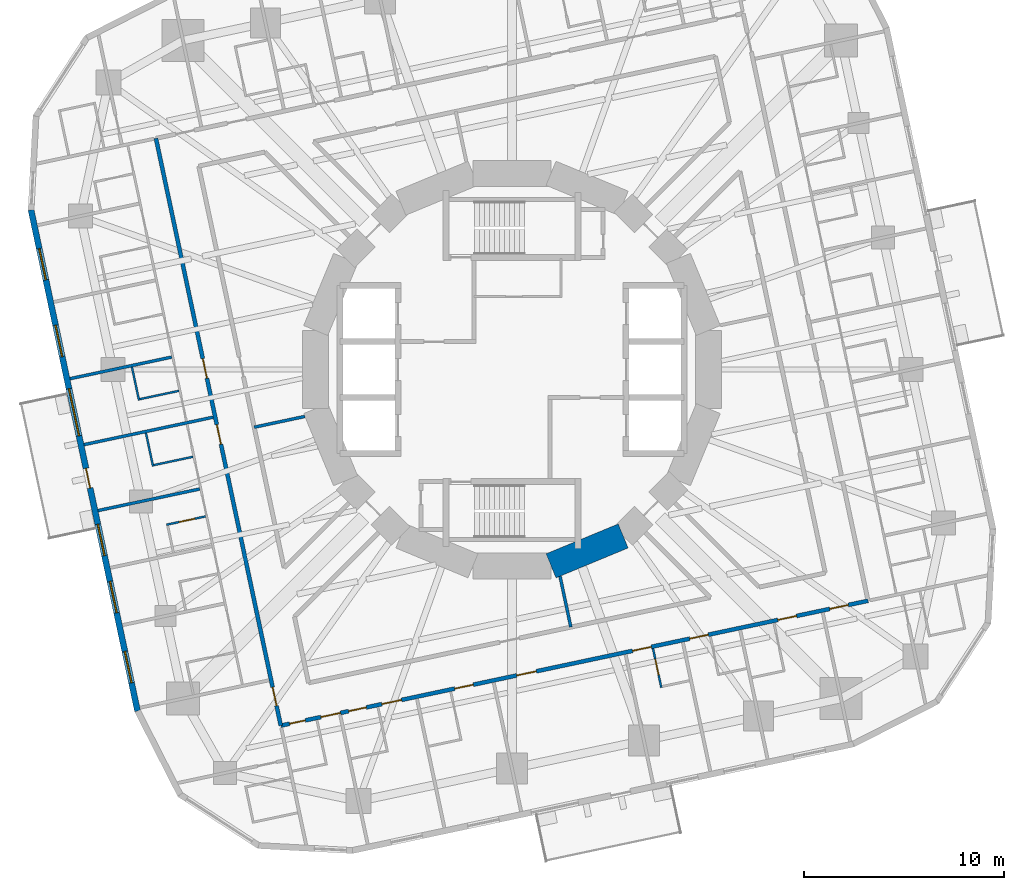
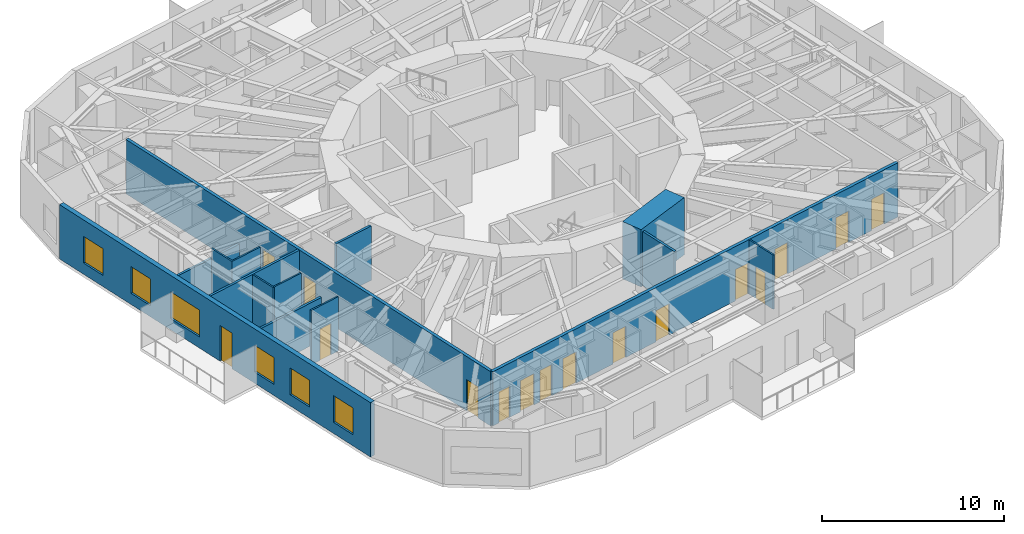
# One storey, part 5 of 13: 16 doors, 15 walls, 6 windows, 22 openings.
"""IFC4 building model written with IfcOpenShell, lengths in metres."""

from ifc_helpers import new_model, si_unit, direction, frame, frame_2d, origin, place, context, subcontext, project, spatial, rectangle, extrude, material, layer, layer_set, type_object, element, fill, save


model = new_model("IFC4")

# Units and contexts
model_context = context("Model", 3, precision=1e-05, world=origin(), true_north=direction((0.0, 1.0)))
body_context = subcontext(model_context, "Body", "Model", "MODEL_VIEW")
ifc_project = project(units=[si_unit("LENGTHUNIT", "METRE"), si_unit("AREAUNIT", "SQUARE_METRE"), si_unit("VOLUMEUNIT", "CUBIC_METRE"), si_unit("PLANEANGLEUNIT", "RADIAN"), si_unit("MASSUNIT", "GRAM", prefix="KILO")], contexts=[model_context])

# Site, building, storey
site_placement = place(None, origin())
site = spatial("IfcSite", under=ifc_project, at=site_placement, CompositionType="ELEMENT")
building_placement = place(site_placement, origin())
building = spatial("IfcBuilding", under=site, at=building_placement, Name="Nakasero Lantern House", CompositionType="ELEMENT")
storey_placement = place(building_placement, frame((0.0, 0.0, 131.949951171875)))
storey = spatial("IfcBuildingStorey", under=building, at=storey_placement, Name="L32", CompositionType="ELEMENT", Elevation=131.949951171875)

# Wall
ifc_material_1 = material(Name="Concrete C50/60", Category="concrete")
ifc_layer_1 = layer(ifc_material_1, 1.300048828125)
ifc_layer_set_1 = layer_set([ifc_layer_1], Name="Core wall 1300")
wall_type_1 = type_object("IfcWallType", Name="Core wall 1300", PredefinedType="SHEAR", material=ifc_layer_set_1)
wall_1_placement = place(storey_placement, frame((1.950927734375, -9.807861328125, 0.0), z_axis=(0.0, 0.0, 1.0), x_axis=(0.923876507187, 0.382690736062, 0.0)))
element("IfcWall", 1, at=wall_1_placement, inside=storey, type_object=wall_type_1, Name="Core wall L32 facet 13", PredefinedType="SHEAR", context=body_context, shape_type="SweptSolid", body=[
    extrude(rectangle(XDim=3.90185546875, YDim=1.300048828125, at=frame_2d((1.950927734375, 0.0))), origin(), (0.0, 0.0, 1.0), 3.85009765625),
])

# Wall, openings, doors
ifc_material_2 = material(Name="Blockwork", Category="masonry")
ifc_layer_2 = layer(ifc_material_2, 0.199951171875)
ifc_layer_set_2 = layer_set([ifc_layer_2], Name="Corridor wall 200")
wall_type_2 = type_object("IfcWallType", Name="Corridor wall 200", PredefinedType="PARTITIONING", material=ifc_layer_set_2)
wall_2_placement = place(storey_placement, frame((-17.790771484375, 11.553466796875, 0.0), z_axis=(0.0, 0.0, 1.0), x_axis=(0.207911508826, -0.978147639417, 0.0)))
wall_2 = element("IfcWall", 2, at=wall_2_placement, inside=storey, type_object=wall_type_2, Name="Corridor wall L32 CW2", PredefinedType="PARTITIONING", context=body_context, shape_type="SweptSolid", body=[
    extrude(rectangle(XDim=29.999755859375, YDim=0.199951171875, at=frame_2d((15.0, 0.0))), origin(), (0.0, 0.0, 1.0), 3.650146484375),
])
opening_1_placement = place(wall_2_placement, frame((11.255126953125, 0.0, 0.0)))
opening_1 = element("IfcOpeningElement", 3, at=opening_1_placement, cuts=wall_2, Name="Opening D14", PredefinedType="OPENING", context=body_context, shape_type="SweptSolid", body=[
    extrude(rectangle(XDim=1.0, YDim=2.10009765625, at=frame_2d((0.5, 1.050048828125))), frame((0.0, 0.119873046875, 0.0), z_axis=(0.0, -1.0, 0.0), x_axis=(1.0, 0.0, 0.0)), (0.0, 0.0, 1.0), 0.239990234375),
])
opening_2_placement = place(wall_2_placement, frame((14.623779296875, 0.0, 0.0)))
opening_2 = element("IfcOpeningElement", 4, at=opening_2_placement, cuts=wall_2, Name="Opening D14", PredefinedType="OPENING", context=body_context, shape_type="SweptSolid", body=[
    extrude(rectangle(XDim=1.0, YDim=2.10009765625, at=frame_2d((0.5, 1.050048828125))), frame((0.0, 0.119873046875, 0.0), z_axis=(0.0, -1.0, 0.0), x_axis=(1.0, 0.0, 0.0)), (0.0, 0.0, 1.0), 0.239990234375),
])
opening_3_placement = place(wall_2_placement, frame((28.038330078125, 0.0, 0.0)))
opening_3 = element("IfcOpeningElement", 5, at=opening_3_placement, cuts=wall_2, Name="Opening D01", PredefinedType="OPENING", context=body_context, shape_type="SweptSolid", body=[
    extrude(rectangle(XDim=0.949951171875, YDim=2.10009765625, at=frame_2d((0.47509765625, 1.050048828125))), frame((0.0, 0.119873046875, 0.0), z_axis=(0.0, -1.0, 0.0), x_axis=(1.0, 0.0, 0.0)), (0.0, 0.0, 1.0), 0.239990234375),
])
ifc_material_3 = material(Name="Timber C24", Category="wood")
door_type_1 = type_object("IfcDoorType", Name="Bedroom door FD30S 950", OperationType="SINGLE_SWING_LEFT", PredefinedType="DOOR", material=ifc_material_3)
door_1_placement = place(opening_3_placement, origin())
door_1 = element("IfcDoor", 6, at=door_1_placement, inside=storey, type_object=door_type_1, Name="Door L32 D2-08", OperationType="SINGLE_SWING_RIGHT", OverallHeight=2.10009765625, OverallWidth=0.949951171875, PredefinedType="DOOR", context=body_context, shape_type="SweptSolid", body=[
    extrude(rectangle(XDim=0.949951171875, YDim=2.10009765625, at=frame_2d((0.47509765625, 1.050048828125))), frame((0.0, 0.02490234375, 0.0), z_axis=(0.0, -1.0, 0.0), x_axis=(1.0, 0.0, 0.0)), (0.0, 0.0, 1.0), 0.050048828125),
])
fill(opening_3, door_1)
ifc_material_4 = material(Name="Timber C24", Category="wood")
door_type_2 = type_object("IfcDoorType", Name="Cluster entrance door FD30S 1000", OperationType="SINGLE_SWING_LEFT", PredefinedType="DOOR", material=ifc_material_4)
door_2_placement = place(opening_1_placement, origin())
door_2 = element("IfcDoor", 7, at=door_2_placement, inside=storey, type_object=door_type_2, Name="Door L32 DF2-0", OperationType="SINGLE_SWING_LEFT", OverallHeight=2.10009765625, OverallWidth=1.0, PredefinedType="DOOR", context=body_context, shape_type="SweptSolid", body=[
    extrude(rectangle(XDim=1.0, YDim=2.10009765625, at=frame_2d((0.5, 1.050048828125))), frame((0.0, 0.02490234375, 0.0), z_axis=(0.0, -1.0, 0.0), x_axis=(1.0, 0.0, 0.0)), (0.0, 0.0, 1.0), 0.050048828125),
])
fill(opening_1, door_2)
door_3_placement = place(opening_2_placement, origin())
door_3 = element("IfcDoor", 8, at=door_3_placement, inside=storey, type_object=door_type_2, Name="Door L32 DF2-1", OperationType="SINGLE_SWING_RIGHT", OverallHeight=2.10009765625, OverallWidth=1.0, PredefinedType="DOOR", context=body_context, shape_type="SweptSolid", body=[
    extrude(rectangle(XDim=1.0, YDim=2.10009765625, at=frame_2d((0.5, 1.050048828125))), frame((0.0, 0.02490234375, 0.0), z_axis=(0.0, -1.0, 0.0), x_axis=(1.0, 0.0, 0.0)), (0.0, 0.0, 1.0), 0.050048828125),
])
fill(opening_2, door_3)

wall_3_placement = place(storey_placement, frame((-11.553466796875, -17.790771484375, 0.0), z_axis=(0.0, 0.0, 1.0), x_axis=(0.978147639417, 0.207911508826, 0.0)))
wall_3 = element("IfcWall", 9, at=wall_3_placement, inside=storey, type_object=wall_type_2, Name="Corridor wall L32 CW3", PredefinedType="PARTITIONING", context=body_context, shape_type="SweptSolid", body=[
    extrude(rectangle(XDim=29.999755859375, YDim=0.199951171875, at=frame_2d((15.0, 0.0))), origin(), (0.0, 0.0, 1.0), 3.650146484375),
])
opening_4_placement = place(wall_3_placement, frame((0.449951171875, 0.0, 0.0)))
opening_4 = element("IfcOpeningElement", 10, at=opening_4_placement, cuts=wall_3, Name="Opening D15", PredefinedType="OPENING", context=body_context, shape_type="SweptSolid", body=[
    extrude(rectangle(XDim=0.800048828125, YDim=2.10009765625, at=frame_2d((0.39990234375, 1.050048828125))), frame((0.0, 0.119873046875, 0.0), z_axis=(0.0, -1.0, 0.0), x_axis=(1.0, 0.0, 0.0)), (0.0, 0.0, 1.0), 0.239990234375),
])
opening_5_placement = place(wall_3_placement, frame((2.050048828125, 0.0, 0.0)))
opening_5 = element("IfcOpeningElement", 11, at=opening_5_placement, cuts=wall_3, Name="Opening D07", PredefinedType="OPENING", context=body_context, shape_type="SweptSolid", body=[
    extrude(rectangle(XDim=1.0, YDim=2.10009765625, at=frame_2d((0.5, 1.050048828125))), frame((0.0, 0.119873046875, 0.0), z_axis=(0.0, -1.0, 0.0), x_axis=(1.0, 0.0, 0.0)), (0.0, 0.0, 1.0), 0.239990234375),
])
opening_6_placement = place(wall_3_placement, frame((3.466064453125, 0.0, 0.0)))
opening_6 = element("IfcOpeningElement", 12, at=opening_6_placement, cuts=wall_3, Name="Opening D16", PredefinedType="OPENING", context=body_context, shape_type="SweptSolid", body=[
    extrude(rectangle(XDim=0.89990234375, YDim=2.10009765625, at=frame_2d((0.449951171875, 1.050048828125))), frame((0.0, 0.119873046875, 0.0), z_axis=(0.0, -1.0, 0.0), x_axis=(1.0, 0.0, 0.0)), (0.0, 0.0, 1.0), 0.239990234375),
])
opening_7_placement = place(wall_3_placement, frame((5.166015625, 0.0, 0.0)))
opening_7 = element("IfcOpeningElement", 13, at=opening_7_placement, cuts=wall_3, Name="Opening D07", PredefinedType="OPENING", context=body_context, shape_type="SweptSolid", body=[
    extrude(rectangle(XDim=1.0, YDim=2.10009765625, at=frame_2d((0.5, 1.050048828125))), frame((0.0, 0.119873046875, 0.0), z_axis=(0.0, -1.0, 0.0), x_axis=(1.0, 0.0, 0.0)), (0.0, 0.0, 1.0), 0.239990234375),
])
opening_8_placement = place(wall_3_placement, frame((8.8857421875, 0.0, 0.0)))
opening_8 = element("IfcOpeningElement", 14, at=opening_8_placement, cuts=wall_3, Name="Opening D01", PredefinedType="OPENING", context=body_context, shape_type="SweptSolid", body=[
    extrude(rectangle(XDim=0.949951171875, YDim=2.10009765625, at=frame_2d((0.47509765625, 1.050048828125))), frame((0.0, 0.119873046875, 0.0), z_axis=(0.0, -1.0, 0.0), x_axis=(1.0, 0.0, 0.0)), (0.0, 0.0, 1.0), 0.239990234375),
])
opening_9_placement = place(wall_3_placement, frame((17.967529296875, 0.0, 0.0)))
opening_9 = element("IfcOpeningElement", 15, at=opening_9_placement, cuts=wall_3, Name="Opening D01", PredefinedType="OPENING", context=body_context, shape_type="SweptSolid", body=[
    extrude(rectangle(XDim=0.949951171875, YDim=2.10009765625, at=frame_2d((0.47509765625, 1.050048828125))), frame((0.0, 0.119873046875, 0.0), z_axis=(0.0, -1.0, 0.0), x_axis=(1.0, 0.0, 0.0)), (0.0, 0.0, 1.0), 0.239990234375),
])
opening_10_placement = place(wall_3_placement, frame((20.89404296875, 0.0, 0.0)))
opening_10 = element("IfcOpeningElement", 16, at=opening_10_placement, cuts=wall_3, Name="Opening D01", PredefinedType="OPENING", context=body_context, shape_type="SweptSolid", body=[
    extrude(rectangle(XDim=0.949951171875, YDim=2.10009765625, at=frame_2d((0.47509765625, 1.050048828125))), frame((0.0, 0.119873046875, 0.0), z_axis=(0.0, -1.0, 0.0), x_axis=(1.0, 0.0, 0.0)), (0.0, 0.0, 1.0), 0.239990234375),
])
opening_11_placement = place(wall_3_placement, frame((25.395263671875, 0.0, 0.0)))
opening_11 = element("IfcOpeningElement", 17, at=opening_11_placement, cuts=wall_3, Name="Opening D01", PredefinedType="OPENING", context=body_context, shape_type="SweptSolid", body=[
    extrude(rectangle(XDim=0.949951171875, YDim=2.10009765625, at=frame_2d((0.47509765625, 1.050048828125))), frame((0.0, 0.119873046875, 0.0), z_axis=(0.0, -1.0, 0.0), x_axis=(1.0, 0.0, 0.0)), (0.0, 0.0, 1.0), 0.239990234375),
])
opening_12_placement = place(wall_3_placement, frame((28.038330078125, 0.0, 0.0)))
opening_12 = element("IfcOpeningElement", 18, at=opening_12_placement, cuts=wall_3, Name="Opening D01", PredefinedType="OPENING", context=body_context, shape_type="SweptSolid", body=[
    extrude(rectangle(XDim=0.949951171875, YDim=2.10009765625, at=frame_2d((0.47509765625, 1.050048828125))), frame((0.0, 0.119873046875, 0.0), z_axis=(0.0, -1.0, 0.0), x_axis=(1.0, 0.0, 0.0)), (0.0, 0.0, 1.0), 0.239990234375),
])
opening_13_placement = place(wall_3_placement, frame((12.05517578125, 0.0, 0.0)))
opening_13 = element("IfcOpeningElement", 19, at=opening_13_placement, cuts=wall_3, Name="Opening D03", PredefinedType="OPENING", context=body_context, shape_type="SweptSolid", body=[
    extrude(rectangle(XDim=1.0, YDim=2.10009765625, at=frame_2d((0.5, 1.050048828125))), frame((0.0, 0.119873046875, 0.0), z_axis=(0.0, -1.0, 0.0), x_axis=(1.0, 0.0, 0.0)), (0.0, 0.0, 1.0), 0.239990234375),
])
ifc_material_5 = material(Name="Timber C24", Category="wood")
door_type_3 = type_object("IfcDoorType", Name="Accessible WC door 900", OperationType="SINGLE_SWING_RIGHT", PredefinedType="DOOR", material=ifc_material_5)
door_4_placement = place(opening_6_placement, origin())
door_4 = element("IfcDoor", 20, at=door_4_placement, inside=storey, type_object=door_type_3, Name="Door L32 DS3-01", OperationType="SINGLE_SWING_LEFT", OverallHeight=2.10009765625, OverallWidth=0.89990234375, PredefinedType="DOOR", context=body_context, shape_type="SweptSolid", body=[
    extrude(rectangle(XDim=0.89990234375, YDim=2.10009765625, at=frame_2d((0.449951171875, 1.050048828125))), frame((0.0, 0.02490234375, 0.0), z_axis=(0.0, -1.0, 0.0), x_axis=(1.0, 0.0, 0.0)), (0.0, 0.0, 1.0), 0.050048828125),
])
fill(opening_6, door_4)
door_5_placement = place(opening_8_placement, origin())
door_5 = element("IfcDoor", 21, at=door_5_placement, inside=storey, type_object=door_type_1, Name="Door L32 D3-02", OperationType="SINGLE_SWING_LEFT", OverallHeight=2.10009765625, OverallWidth=0.949951171875, PredefinedType="DOOR", context=body_context, shape_type="SweptSolid", body=[
    extrude(rectangle(XDim=0.949951171875, YDim=2.10009765625, at=frame_2d((0.47509765625, 1.050048828125))), frame((0.0, 0.02490234375, 0.0), z_axis=(0.0, -1.0, 0.0), x_axis=(1.0, 0.0, 0.0)), (0.0, 0.0, 1.0), 0.050048828125),
])
fill(opening_8, door_5)
door_6_placement = place(opening_9_placement, origin())
door_6 = element("IfcDoor", 22, at=door_6_placement, inside=storey, type_object=door_type_1, Name="Door L32 D3-05", OperationType="SINGLE_SWING_RIGHT", OverallHeight=2.10009765625, OverallWidth=0.949951171875, PredefinedType="DOOR", context=body_context, shape_type="SweptSolid", body=[
    extrude(rectangle(XDim=0.949951171875, YDim=2.10009765625, at=frame_2d((0.47509765625, 1.050048828125))), frame((0.0, 0.02490234375, 0.0), z_axis=(0.0, -1.0, 0.0), x_axis=(1.0, 0.0, 0.0)), (0.0, 0.0, 1.0), 0.050048828125),
])
fill(opening_9, door_6)
door_7_placement = place(opening_10_placement, origin())
door_7 = element("IfcDoor", 23, at=door_7_placement, inside=storey, type_object=door_type_1, Name="Door L32 D3-06", OperationType="SINGLE_SWING_RIGHT", OverallHeight=2.10009765625, OverallWidth=0.949951171875, PredefinedType="DOOR", context=body_context, shape_type="SweptSolid", body=[
    extrude(rectangle(XDim=0.949951171875, YDim=2.10009765625, at=frame_2d((0.47509765625, 1.050048828125))), frame((0.0, 0.02490234375, 0.0), z_axis=(0.0, -1.0, 0.0), x_axis=(1.0, 0.0, 0.0)), (0.0, 0.0, 1.0), 0.050048828125),
])
fill(opening_10, door_7)
door_8_placement = place(opening_11_placement, origin())
door_8 = element("IfcDoor", 24, at=door_8_placement, inside=storey, type_object=door_type_1, Name="Door L32 D3-07", OperationType="SINGLE_SWING_RIGHT", OverallHeight=2.10009765625, OverallWidth=0.949951171875, PredefinedType="DOOR", context=body_context, shape_type="SweptSolid", body=[
    extrude(rectangle(XDim=0.949951171875, YDim=2.10009765625, at=frame_2d((0.47509765625, 1.050048828125))), frame((0.0, 0.02490234375, 0.0), z_axis=(0.0, -1.0, 0.0), x_axis=(1.0, 0.0, 0.0)), (0.0, 0.0, 1.0), 0.050048828125),
])
fill(opening_11, door_8)
door_9_placement = place(opening_12_placement, origin())
door_9 = element("IfcDoor", 25, at=door_9_placement, inside=storey, type_object=door_type_1, Name="Door L32 D3-08", OperationType="SINGLE_SWING_RIGHT", OverallHeight=2.10009765625, OverallWidth=0.949951171875, PredefinedType="DOOR", context=body_context, shape_type="SweptSolid", body=[
    extrude(rectangle(XDim=0.949951171875, YDim=2.10009765625, at=frame_2d((0.47509765625, 1.050048828125))), frame((0.0, 0.02490234375, 0.0), z_axis=(0.0, -1.0, 0.0), x_axis=(1.0, 0.0, 0.0)), (0.0, 0.0, 1.0), 0.050048828125),
])
fill(opening_12, door_9)
ifc_material_6 = material(Name="Timber C24", Category="wood")
door_type_4 = type_object("IfcDoorType", Name="Cleaner's store door FD30S 800", OperationType="SINGLE_SWING_LEFT", PredefinedType="DOOR", material=ifc_material_6)
door_10_placement = place(opening_4_placement, origin())
door_10 = element("IfcDoor", 26, at=door_10_placement, inside=storey, type_object=door_type_4, Name="Door L32 DS3-00", OperationType="SINGLE_SWING_LEFT", OverallHeight=2.10009765625, OverallWidth=0.800048828125, PredefinedType="DOOR", context=body_context, shape_type="SweptSolid", body=[
    extrude(rectangle(XDim=0.800048828125, YDim=2.10009765625, at=frame_2d((0.39990234375, 1.050048828125))), frame((0.0, 0.02490234375, 0.0), z_axis=(0.0, -1.0, 0.0), x_axis=(1.0, 0.0, 0.0)), (0.0, 0.0, 1.0), 0.050048828125),
])
fill(opening_4, door_10)
ifc_material_7 = material(Name="Timber C24", Category="wood")
door_type_5 = type_object("IfcDoorType", Name="Lounge door FD30S 1000", OperationType="SINGLE_SWING_LEFT", PredefinedType="DOOR", material=ifc_material_7)
door_11_placement = place(opening_13_placement, origin())
door_11 = element("IfcDoor", 27, at=door_11_placement, inside=storey, type_object=door_type_5, Name="Door L32 DK3", OperationType="SINGLE_SWING_LEFT", OverallHeight=2.10009765625, OverallWidth=1.0, PredefinedType="DOOR", context=body_context, shape_type="SweptSolid", body=[
    extrude(rectangle(XDim=1.0, YDim=2.10009765625, at=frame_2d((0.5, 1.050048828125))), frame((0.0, 0.02490234375, 0.0), z_axis=(0.0, -1.0, 0.0), x_axis=(1.0, 0.0, 0.0)), (0.0, 0.0, 1.0), 0.050048828125),
])
fill(opening_13, door_11)
ifc_material_8 = material(Name="Timber C24", Category="wood")
door_type_6 = type_object("IfcDoorType", Name="Room door FD30S 1000", OperationType="SINGLE_SWING_LEFT", PredefinedType="DOOR", material=ifc_material_8)
door_12_placement = place(opening_5_placement, origin())
door_12 = element("IfcDoor", 28, at=door_12_placement, inside=storey, type_object=door_type_6, Name="Door L32 D3-00", OperationType="SINGLE_SWING_LEFT", OverallHeight=2.10009765625, OverallWidth=1.0, PredefinedType="DOOR", context=body_context, shape_type="SweptSolid", body=[
    extrude(rectangle(XDim=1.0, YDim=2.10009765625, at=frame_2d((0.5, 1.050048828125))), frame((0.0, 0.02490234375, 0.0), z_axis=(0.0, -1.0, 0.0), x_axis=(1.0, 0.0, 0.0)), (0.0, 0.0, 1.0), 0.050048828125),
])
fill(opening_5, door_12)
door_13_placement = place(opening_7_placement, origin())
door_13 = element("IfcDoor", 29, at=door_13_placement, inside=storey, type_object=door_type_6, Name="Door L32 D3-01", OperationType="SINGLE_SWING_LEFT", OverallHeight=2.10009765625, OverallWidth=1.0, PredefinedType="DOOR", context=body_context, shape_type="SweptSolid", body=[
    extrude(rectangle(XDim=1.0, YDim=2.10009765625, at=frame_2d((0.5, 1.050048828125))), frame((0.0, 0.02490234375, 0.0), z_axis=(0.0, -1.0, 0.0), x_axis=(1.0, 0.0, 0.0)), (0.0, 0.0, 1.0), 0.050048828125),
])
fill(opening_7, door_13)

# Walls
ifc_material_9 = material(Name="Blockwork", Category="masonry")
ifc_layer_3 = layer(ifc_material_9, 0.10009765625)
ifc_layer_set_3 = layer_set([ifc_layer_3], Name="En-suite wall 100")
wall_type_3 = type_object("IfcWallType", Name="En-suite wall 100", PredefinedType="PARTITIONING", material=ifc_layer_set_3)
wall_4_placement = place(storey_placement, frame((-16.642578125, -1.0634765625, 0.0), z_axis=(0.0, 0.0, 1.0), x_axis=(-0.978134617382, -0.207972763311, 0.0)))
element("IfcWall", 30, at=wall_4_placement, inside=storey, type_object=wall_type_3, Name="En-suite wall L32 SS2-0", PredefinedType="PARTITIONING", context=body_context, shape_type="SweptSolid", body=[
    extrude(rectangle(XDim=2.10009765625, YDim=0.10009765625, at=frame_2d((1.050048828125, 0.0))), origin(), (0.0, 0.0, 1.0), 3.650146484375),
])
wall_5_placement = place(storey_placement, frame((-18.99072265625, 0.124267578125, 0.0), z_axis=(0.0, 0.0, 1.0), x_axis=(0.207812379357, -0.978168704767, 0.0)))
element("IfcWall", 31, at=wall_5_placement, inside=storey, type_object=wall_type_3, Name="En-suite wall L32 SE2-0", PredefinedType="PARTITIONING", context=body_context, shape_type="SweptSolid", body=[
    extrude(rectangle(XDim=1.699951171875, YDim=0.10009765625, at=frame_2d((0.85009765625, 0.0))), origin(), (0.0, 0.0, 1.0), 3.650146484375),
])
wall_6_placement = place(storey_placement, frame((-15.942138671875, -4.358642578125, 0.0), z_axis=(0.0, 0.0, 1.0), x_axis=(-0.97815826, -0.207861536591, 0.0)))
element("IfcWall", 32, at=wall_6_placement, inside=storey, type_object=wall_type_3, Name="En-suite wall L32 SS2-1", PredefinedType="PARTITIONING", context=body_context, shape_type="SweptSolid", body=[
    extrude(rectangle(XDim=2.10009765625, YDim=0.10009765625, at=frame_2d((1.050048828125, 0.0))), origin(), (0.0, 0.0, 1.0), 3.650146484375),
])
wall_7_placement = place(storey_placement, frame((-18.29052734375, -3.1708984375, 0.0), z_axis=(0.0, 0.0, 1.0), x_axis=(0.207949787024, -0.97813950236, 0.0)))
element("IfcWall", 33, at=wall_7_placement, inside=storey, type_object=wall_type_3, Name="En-suite wall L32 SE2-1", PredefinedType="PARTITIONING", context=body_context, shape_type="SweptSolid", body=[
    extrude(rectangle(XDim=1.699951171875, YDim=0.10009765625, at=frame_2d((0.85009765625, 0.0))), origin(), (0.0, 0.0, 1.0), 3.650146484375),
])

# Wall, opening, door
wall_8_placement = place(storey_placement, frame((-15.30908203125, -7.337158203125, 0.0), z_axis=(0.0, 0.0, 1.0), x_axis=(-0.978152955943, -0.207886494942, 0.0)))
wall_8 = element("IfcWall", 34, at=wall_8_placement, inside=storey, type_object=wall_type_3, Name="En-suite wall L32 ES2-05", PredefinedType="PARTITIONING", context=body_context, shape_type="SweptSolid", body=[
    extrude(rectangle(XDim=2.0, YDim=0.10009765625, at=frame_2d((1.0, 0.0))), origin(), (0.0, 0.0, 1.0), 3.650146484375),
])
opening_14_placement = place(wall_8_placement, frame((0.550048828125, 0.0, 0.0)))
opening_14 = element("IfcOpeningElement", 35, at=opening_14_placement, cuts=wall_8, Name="Opening D02", PredefinedType="OPENING", context=body_context, shape_type="SweptSolid", body=[
    extrude(rectangle(XDim=0.800048828125, YDim=2.10009765625, at=frame_2d((0.39990234375, 1.050048828125))), frame((0.0, 0.070068359375, 0.0), z_axis=(0.0, -1.0, 0.0), x_axis=(1.0, 0.0, 0.0)), (0.0, 0.0, 1.0), 0.14013671875),
])
ifc_material_10 = material(Name="Timber C24", Category="wood")
door_type_7 = type_object("IfcDoorType", Name="En-suite door 800", OperationType="SINGLE_SWING_RIGHT", PredefinedType="DOOR", material=ifc_material_10)
door_14_placement = place(opening_14_placement, origin())
door_14 = element("IfcDoor", 36, at=door_14_placement, inside=storey, type_object=door_type_7, Name="Door L32 DE2-05", OperationType="SINGLE_SWING_LEFT", OverallHeight=2.10009765625, OverallWidth=0.800048828125, PredefinedType="DOOR", context=body_context, shape_type="SweptSolid", body=[
    extrude(rectangle(XDim=0.800048828125, YDim=2.10009765625, at=frame_2d((0.39990234375, 1.050048828125))), frame((0.0, 0.02490234375, 0.0), z_axis=(0.0, -1.0, 0.0), x_axis=(1.0, 0.0, 0.0)), (0.0, 0.0, 1.0), 0.050048828125),
])
fill(opening_14, door_14)

wall_9_placement = place(storey_placement, frame((7.046142578125, -13.939697265625, 0.0), z_axis=(0.0, 0.0, 1.0), x_axis=(0.207886494942, -0.978152955943, 0.0)))
wall_9 = element("IfcWall", 37, at=wall_9_placement, inside=storey, type_object=wall_type_3, Name="En-suite wall L32 ES3-05", PredefinedType="PARTITIONING", context=body_context, shape_type="SweptSolid", body=[
    extrude(rectangle(XDim=2.0, YDim=0.10009765625, at=frame_2d((1.0, 0.0))), origin(), (0.0, 0.0, 1.0), 3.650146484375),
])
opening_15_placement = place(wall_9_placement, frame((0.550048828125, 0.0, 0.0)))
opening_15 = element("IfcOpeningElement", 38, at=opening_15_placement, cuts=wall_9, Name="Opening D02", PredefinedType="OPENING", context=body_context, shape_type="SweptSolid", body=[
    extrude(rectangle(XDim=0.800048828125, YDim=2.10009765625, at=frame_2d((0.39990234375, 1.050048828125))), frame((0.0, 0.070068359375, 0.0), z_axis=(0.0, -1.0, 0.0), x_axis=(1.0, 0.0, 0.0)), (0.0, 0.0, 1.0), 0.14013671875),
])
door_15_placement = place(opening_15_placement, origin())
door_15 = element("IfcDoor", 39, at=door_15_placement, inside=storey, type_object=door_type_7, Name="Door L32 DE3-05", OperationType="SINGLE_SWING_LEFT", OverallHeight=2.10009765625, OverallWidth=0.800048828125, PredefinedType="DOOR", context=body_context, shape_type="SweptSolid", body=[
    extrude(rectangle(XDim=0.800048828125, YDim=2.10009765625, at=frame_2d((0.39990234375, 1.050048828125))), frame((0.0, 0.02490234375, 0.0), z_axis=(0.0, -1.0, 0.0), x_axis=(1.0, 0.0, 0.0)), (0.0, 0.0, 1.0), 0.050048828125),
])
fill(opening_15, door_15)

# Wall, openings, door, windows
ifc_material_11 = material(Name="Aluminium rainscreen on blockwork", Category="masonry")
ifc_layer_4 = layer(ifc_material_11, 0.300048828125)
ifc_layer_set_4 = layer_set([ifc_layer_4], Name="Facade wall 300")
wall_type_4 = type_object("IfcWallType", Name="Facade wall 300", PredefinedType="SOLIDWALL", material=ifc_layer_set_4)
wall_10_placement = place(storey_placement, frame((-24.03369140625, 7.9775390625, 0.0), z_axis=(0.0, 0.0, 1.0), x_axis=(0.207909055127, -0.978148160964, 0.0)))
wall_10 = element("IfcWall", 40, at=wall_10_placement, inside=storey, type_object=wall_type_4, Name="Facade wall L32 FW2S", PredefinedType="SOLIDWALL", context=body_context, shape_type="SweptSolid", body=[
    extrude(rectangle(XDim=25.60009765625, YDim=0.300048828125, at=frame_2d((12.800048828125, 0.0))), origin(), (0.0, 0.0, 1.0), 3.650146484375),
])
opening_16_placement = place(wall_10_placement, frame((1.975830078125, 0.0, 0.75)))
opening_16 = element("IfcOpeningElement", 41, at=opening_16_placement, cuts=wall_10, Name="Opening W01", PredefinedType="OPENING", context=body_context, shape_type="SweptSolid", body=[
    extrude(rectangle(XDim=1.60009765625, YDim=1.800048828125, at=frame_2d((0.800048828125, 0.89990234375))), frame((0.0, 0.169921875, 0.0), z_axis=(0.0, -1.0, 0.0), x_axis=(1.0, 0.0, 0.0)), (0.0, 0.0, 1.0), 0.340087890625),
])
opening_17_placement = place(wall_10_placement, frame((5.8955078125, 0.0, 0.75)))
opening_17 = element("IfcOpeningElement", 42, at=opening_17_placement, cuts=wall_10, Name="Opening W01", PredefinedType="OPENING", context=body_context, shape_type="SweptSolid", body=[
    extrude(rectangle(XDim=1.60009765625, YDim=1.800048828125, at=frame_2d((0.800048828125, 0.89990234375))), frame((0.0, 0.169921875, 0.0), z_axis=(0.0, -1.0, 0.0), x_axis=(1.0, 0.0, 0.0)), (0.0, 0.0, 1.0), 0.340087890625),
])
opening_18_placement = place(wall_10_placement, frame((16.0556640625, 0.0, 0.75)))
opening_18 = element("IfcOpeningElement", 43, at=opening_18_placement, cuts=wall_10, Name="Opening W01", PredefinedType="OPENING", context=body_context, shape_type="SweptSolid", body=[
    extrude(rectangle(XDim=1.60009765625, YDim=1.800048828125, at=frame_2d((0.800048828125, 0.89990234375))), frame((0.0, 0.169921875, 0.0), z_axis=(0.0, -1.0, 0.0), x_axis=(1.0, 0.0, 0.0)), (0.0, 0.0, 1.0), 0.340087890625),
])
opening_19_placement = place(wall_10_placement, frame((18.982177734375, 0.0, 0.75)))
opening_19 = element("IfcOpeningElement", 44, at=opening_19_placement, cuts=wall_10, Name="Opening W01", PredefinedType="OPENING", context=body_context, shape_type="SweptSolid", body=[
    extrude(rectangle(XDim=1.60009765625, YDim=1.800048828125, at=frame_2d((0.800048828125, 0.89990234375))), frame((0.0, 0.169921875, 0.0), z_axis=(0.0, -1.0, 0.0), x_axis=(1.0, 0.0, 0.0)), (0.0, 0.0, 1.0), 0.340087890625),
])
opening_20_placement = place(wall_10_placement, frame((22.554443359375, 0.0, 0.75)))
opening_20 = element("IfcOpeningElement", 45, at=opening_20_placement, cuts=wall_10, Name="Opening W01", PredefinedType="OPENING", context=body_context, shape_type="SweptSolid", body=[
    extrude(rectangle(XDim=1.60009765625, YDim=1.800048828125, at=frame_2d((0.800048828125, 0.89990234375))), frame((0.0, 0.169921875, 0.0), z_axis=(0.0, -1.0, 0.0), x_axis=(1.0, 0.0, 0.0)), (0.0, 0.0, 1.0), 0.340087890625),
])
opening_21_placement = place(wall_10_placement, frame((9.139404296875, 0.0, 0.75)))
opening_21 = element("IfcOpeningElement", 46, at=opening_21_placement, cuts=wall_10, Name="Opening W03", PredefinedType="OPENING", context=body_context, shape_type="SweptSolid", body=[
    extrude(rectangle(XDim=2.39990234375, YDim=1.800048828125, at=frame_2d((1.199951171875, 0.89990234375))), frame((0.0, 0.169921875, 0.0), z_axis=(0.0, -1.0, 0.0), x_axis=(1.0, 0.0, 0.0)), (0.0, 0.0, 1.0), 0.340087890625),
])
opening_22_placement = place(wall_10_placement, frame((13.208251953125, 0.0, 0.0)))
opening_22 = element("IfcOpeningElement", 47, at=opening_22_placement, cuts=wall_10, Name="Opening D04", PredefinedType="OPENING", context=body_context, shape_type="SweptSolid", body=[
    extrude(rectangle(XDim=1.0, YDim=2.39990234375, at=frame_2d((0.5, 1.199951171875))), frame((0.0, 0.169921875, 0.0), z_axis=(0.0, -1.0, 0.0), x_axis=(1.0, 0.0, 0.0)), (0.0, 0.0, 1.0), 0.340087890625),
])
ifc_material_12 = material(Name="Aluminium 6063-T6 and glass", Category="aluminium")
door_type_8 = type_object("IfcDoorType", Name="Balcony door 1000x2400", OperationType="SINGLE_SWING_RIGHT", PredefinedType="DOOR", material=ifc_material_12)
door_16_placement = place(opening_22_placement, origin())
door_16 = element("IfcDoor", 48, at=door_16_placement, inside=storey, type_object=door_type_8, Name="Balcony door L32 DB2", OperationType="SINGLE_SWING_RIGHT", OverallHeight=2.39990234375, OverallWidth=1.0, PredefinedType="DOOR", context=body_context, shape_type="SweptSolid", body=[
    extrude(rectangle(XDim=1.0, YDim=2.39990234375, at=frame_2d((0.5, 1.199951171875))), frame((0.0, 0.02490234375, 0.0), z_axis=(0.0, -1.0, 0.0), x_axis=(1.0, 0.0, 0.0)), (0.0, 0.0, 1.0), 0.050048828125),
])
fill(opening_22, door_16)
ifc_material_13 = material(Name="Aluminium 6063-T6 and glass", Category="aluminium")
window_type_1 = type_object("IfcWindowType", Name="Bedroom window 1600x1800", PartitioningType="SINGLE_PANEL", PredefinedType="WINDOW", material=ifc_material_13)
window_1_placement = place(opening_16_placement, origin())
window_1 = element("IfcWindow", 49, at=window_1_placement, inside=storey, type_object=window_type_1, Name="Window L32 WN2-01", OverallHeight=1.800048828125, OverallWidth=1.60009765625, PartitioningType="SINGLE_PANEL", PredefinedType="WINDOW", context=body_context, shape_type="SweptSolid", body=[
    extrude(rectangle(XDim=1.60009765625, YDim=1.800048828125, at=frame_2d((0.800048828125, 0.89990234375))), frame((0.0, 0.030029296875, 0.0), z_axis=(0.0, -1.0, 0.0), x_axis=(1.0, 0.0, 0.0)), (0.0, 0.0, 1.0), 0.06005859375),
])
fill(opening_16, window_1)
window_2_placement = place(opening_17_placement, origin())
window_2 = element("IfcWindow", 50, at=window_2_placement, inside=storey, type_object=window_type_1, Name="Window L32 WN2-02", OverallHeight=1.800048828125, OverallWidth=1.60009765625, PartitioningType="SINGLE_PANEL", PredefinedType="WINDOW", context=body_context, shape_type="SweptSolid", body=[
    extrude(rectangle(XDim=1.60009765625, YDim=1.800048828125, at=frame_2d((0.800048828125, 0.89990234375))), frame((0.0, 0.030029296875, 0.0), z_axis=(0.0, -1.0, 0.0), x_axis=(1.0, 0.0, 0.0)), (0.0, 0.0, 1.0), 0.06005859375),
])
fill(opening_17, window_2)
window_3_placement = place(opening_18_placement, origin())
window_3 = element("IfcWindow", 51, at=window_3_placement, inside=storey, type_object=window_type_1, Name="Window L32 WN2-05", OverallHeight=1.800048828125, OverallWidth=1.60009765625, PartitioningType="SINGLE_PANEL", PredefinedType="WINDOW", context=body_context, shape_type="SweptSolid", body=[
    extrude(rectangle(XDim=1.60009765625, YDim=1.800048828125, at=frame_2d((0.800048828125, 0.89990234375))), frame((0.0, 0.030029296875, 0.0), z_axis=(0.0, -1.0, 0.0), x_axis=(1.0, 0.0, 0.0)), (0.0, 0.0, 1.0), 0.06005859375),
])
fill(opening_18, window_3)
window_4_placement = place(opening_19_placement, origin())
window_4 = element("IfcWindow", 52, at=window_4_placement, inside=storey, type_object=window_type_1, Name="Window L32 WN2-06", OverallHeight=1.800048828125, OverallWidth=1.60009765625, PartitioningType="SINGLE_PANEL", PredefinedType="WINDOW", context=body_context, shape_type="SweptSolid", body=[
    extrude(rectangle(XDim=1.60009765625, YDim=1.800048828125, at=frame_2d((0.800048828125, 0.89990234375))), frame((0.0, 0.030029296875, 0.0), z_axis=(0.0, -1.0, 0.0), x_axis=(1.0, 0.0, 0.0)), (0.0, 0.0, 1.0), 0.06005859375),
])
fill(opening_19, window_4)
window_5_placement = place(opening_20_placement, origin())
window_5 = element("IfcWindow", 53, at=window_5_placement, inside=storey, type_object=window_type_1, Name="Window L32 WN2-07", OverallHeight=1.800048828125, OverallWidth=1.60009765625, PartitioningType="SINGLE_PANEL", PredefinedType="WINDOW", context=body_context, shape_type="SweptSolid", body=[
    extrude(rectangle(XDim=1.60009765625, YDim=1.800048828125, at=frame_2d((0.800048828125, 0.89990234375))), frame((0.0, 0.030029296875, 0.0), z_axis=(0.0, -1.0, 0.0), x_axis=(1.0, 0.0, 0.0)), (0.0, 0.0, 1.0), 0.06005859375),
])
fill(opening_20, window_5)
ifc_material_14 = material(Name="Aluminium 6063-T6 and glass", Category="aluminium")
window_type_2 = type_object("IfcWindowType", Name="Lounge window 2400x1800", PartitioningType="SINGLE_PANEL", PredefinedType="WINDOW", material=ifc_material_14)
window_6_placement = place(opening_21_placement, origin())
window_6 = element("IfcWindow", 54, at=window_6_placement, inside=storey, type_object=window_type_2, Name="Window L32 WK2", OverallHeight=1.800048828125, OverallWidth=2.39990234375, PartitioningType="SINGLE_PANEL", PredefinedType="WINDOW", context=body_context, shape_type="SweptSolid", body=[
    extrude(rectangle(XDim=2.39990234375, YDim=1.800048828125, at=frame_2d((1.199951171875, 0.89990234375))), frame((0.0, 0.030029296875, 0.0), z_axis=(0.0, -1.0, 0.0), x_axis=(1.0, 0.0, 0.0)), (0.0, 0.0, 1.0), 0.06005859375),
])
fill(opening_21, window_6)

# Walls
ifc_material_15 = material(Name="Blockwork", Category="masonry")
ifc_layer_5 = layer(ifc_material_15, 0.14990234375)
ifc_layer_set_5 = layer_set([ifc_layer_5], Name="Party wall 150")
wall_type_5 = type_object("IfcWallType", Name="Party wall 150", PredefinedType="PARTITIONING", material=ifc_layer_set_5)
wall_11_placement = place(storey_placement, frame((-17.001220703125, 0.623779296875, 0.0), z_axis=(0.0, 0.0, 1.0), x_axis=(-0.978141904084, -0.207938489641, 0.0)))
element("IfcWall", 55, at=wall_11_placement, inside=storey, type_object=wall_type_5, Name="Party wall L32 PW2-03", PredefinedType="PARTITIONING", context=body_context, shape_type="SweptSolid", body=[
    extrude(rectangle(XDim=5.2001953125, YDim=0.14990234375, at=frame_2d((2.60009765625, 0.0))), origin(), (0.0, 0.0, 1.0), 2.966552734375),
])
wall_12_placement = place(storey_placement, frame((-14.931396484375, -2.38037109375, 0.0), z_axis=(0.0, 0.0, 1.0), x_axis=(-0.97815236361, -0.207889281984, 0.0)))
element("IfcWall", 56, at=wall_12_placement, inside=storey, type_object=wall_type_5, Name="Party wall L32 PW2-04", PredefinedType="PARTITIONING", context=body_context, shape_type="SweptSolid", body=[
    extrude(rectangle(XDim=6.60009765625, YDim=0.14990234375, at=frame_2d((3.300048828125, 0.0))), origin(), (0.0, 0.0, 1.0), 3.650146484375),
])
wall_13_placement = place(storey_placement, frame((-15.600341796875, -5.966552734375, 0.0), z_axis=(0.0, 0.0, 1.0), x_axis=(-0.978151452323, -0.207893569688, 0.0)))
element("IfcWall", 57, at=wall_13_placement, inside=storey, type_object=wall_type_5, Name="Party wall L32 PW2-05", PredefinedType="PARTITIONING", context=body_context, shape_type="SweptSolid", body=[
    extrude(rectangle(XDim=5.199951171875, YDim=0.14990234375, at=frame_2d((2.60009765625, 0.0))), origin(), (0.0, 0.0, 1.0), 2.887939453125),
])
wall_14_placement = place(storey_placement, frame((-12.88232421875, -2.88134765625, 0.0), z_axis=(0.0, 0.0, 1.0), x_axis=(0.978137762495, 0.207957970708, 0.0)))
element("IfcWall", 58, at=wall_14_placement, inside=storey, type_object=wall_type_5, Name="Party wall L32 IM2", PredefinedType="PARTITIONING", context=body_context, shape_type="SweptSolid", body=[
    extrude(rectangle(XDim=2.58984375, YDim=0.14990234375, at=frame_2d((1.294921875, 0.0))), origin(), (0.0, 0.0, 1.0), 3.650146484375),
])
wall_15_placement = place(storey_placement, frame((2.940185546875, -12.869873046875, 0.0), z_axis=(0.0, 0.0, 1.0), x_axis=(-0.207996830597, 0.978129499842, 0.0)))
element("IfcWall", 59, at=wall_15_placement, inside=storey, type_object=wall_type_5, Name="Party wall L32 IM3", PredefinedType="PARTITIONING", context=body_context, shape_type="SweptSolid", body=[
    extrude(rectangle(XDim=2.60107421875, YDim=0.14990234375, at=frame_2d((1.300537109375, 0.0))), origin(), (0.0, 0.0, 1.0), 3.650146484375),
])

save(model, "model.ifc")
